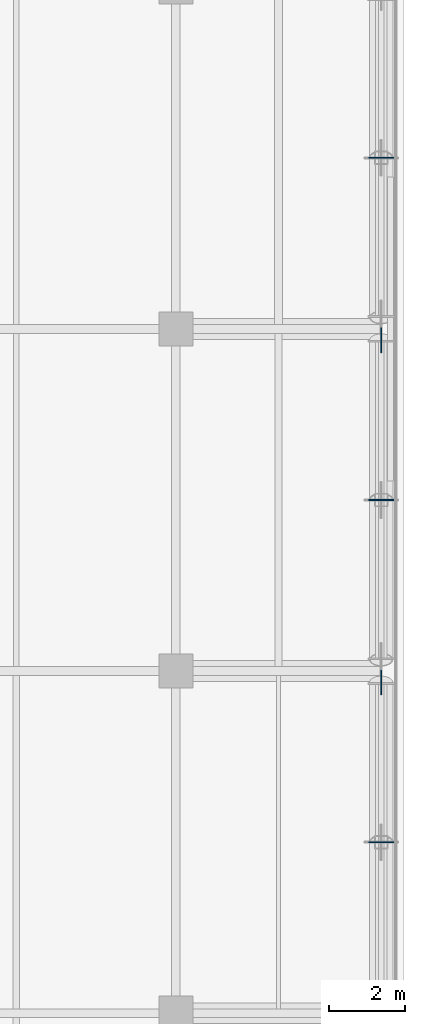
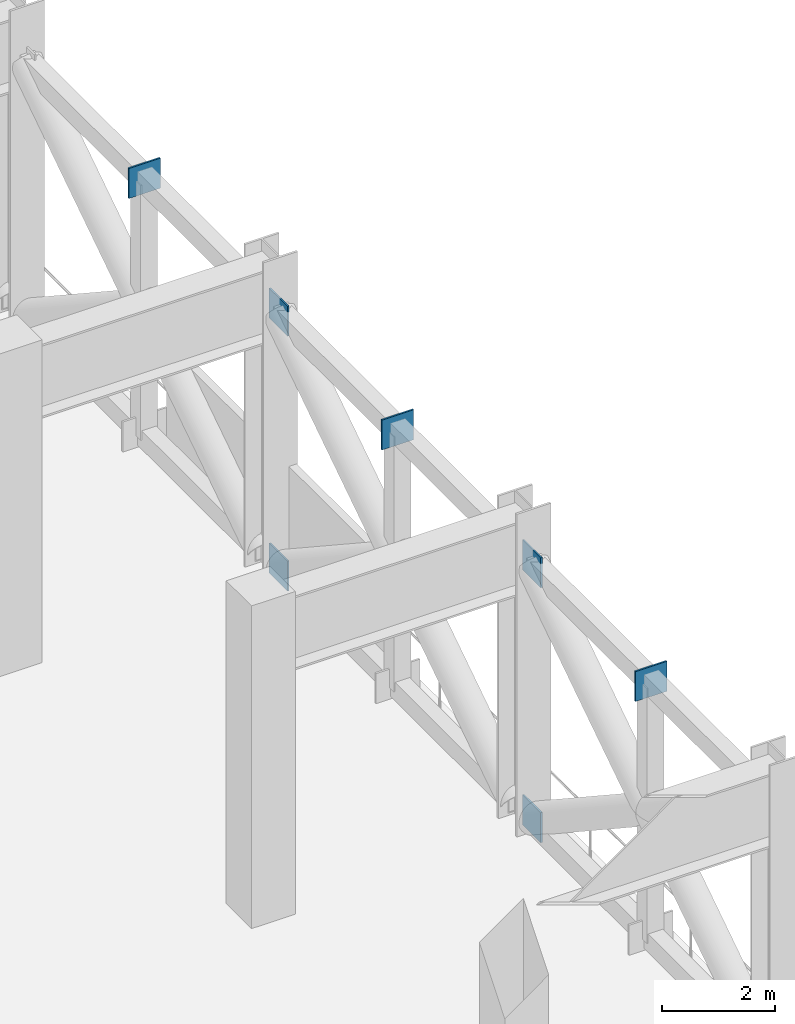
# One storey, part 9 of 16: 7 plates.
"""IFC4 building model written with IfcOpenShell, lengths in metres."""

from ifc_helpers import new_model, si_unit, direction, frame, origin, origin_2d, place, context, subcontext, project, spatial, rectangle, extrude, material, layer, layer_set, type_object, element, save


model = new_model("IFC4")

# Units and contexts
model_context = context("Model", 3, precision=1e-05, world=origin(), true_north=direction((0.0, 1.0)))
body_context = subcontext(model_context, "Body", "Model", "MODEL_VIEW")
ifc_project = project(units=[si_unit("LENGTHUNIT", "METRE"), si_unit("AREAUNIT", "SQUARE_METRE"), si_unit("VOLUMEUNIT", "CUBIC_METRE"), si_unit("PLANEANGLEUNIT", "RADIAN"), si_unit("MASSUNIT", "GRAM", prefix="KILO")], contexts=[model_context])

# Site, building, storey
site_placement = place(None, origin())
site = spatial("IfcSite", under=ifc_project, at=site_placement, CompositionType="ELEMENT")
building_placement = place(site_placement, origin())
building = spatial("IfcBuilding", under=site, at=building_placement, Name="Maruvema Waterfront Hotel and Observation Tower", CompositionType="ELEMENT")
storey_placement = place(building_placement, frame((0.0, 0.0, 115.5)))
storey = spatial("IfcBuildingStorey", under=building, at=storey_placement, Name="L28", CompositionType="ELEMENT", Elevation=115.5)

# Plates
ifc_material = material(Name="Steel ABNT NBR 7007 AR 415 (ASTM A572 Grade 50)", Category="steel")
ifc_layer = layer(ifc_material, 0.034912109375, Name="Hollow Section Sealed End Cap Plate 35 mm")
ifc_layer_set = layer_set([ifc_layer], Name="Steel ABNT NBR 7007 AR 415 (ASTM A572 Grade 50)")
plate_type = type_object("IfcPlateType", Name="Hollow Section Sealed End Cap Plate 35 mm", PredefinedType="USERDEFINED", material=ifc_layer_set)
for number, where, z_axis, x_axis, name in (
    (1, (64.199951171875, 17.699951171875, -0.074951171875), (0.0, 0.0, 1.0), (0.0, 1.0, 0.0), "L28 Perimeter Belt Truss Chord E5 Node Plate 2"),
    (2, (64.199951171875, 17.699951171875, 5.455078125), (0.0, 0.0, 1.0), (0.0, 1.0, 0.0), "L28 Perimeter Belt Truss Top Chord E5 Node Plate 2"),
    (3, (64.199951171875, 13.5, 5.455078125), (0.0, 0.0, 1.0), (1.0, 0.0, 0.0), "L28 Perimeter Belt Truss Post E5 Node Plate 2"),
    (4, (64.199951171875, 26.699951171875, -0.074951171875), (0.0, 0.0, 1.0), (0.0, 1.0, 0.0), "L28 Perimeter Belt Truss Chord E6 Node Plate 2"),
    (5, (64.199951171875, 26.699951171875, 5.455078125), (0.0, 0.0, 1.0), (0.0, 1.0, 0.0), "L28 Perimeter Belt Truss Top Chord E6 Node Plate 2"),
    (6, (64.199951171875, 22.5, 5.455078125), (0.0, 0.0, 1.0), (1.0, 0.0, 0.0), "L28 Perimeter Belt Truss Post E6 Node Plate 2"),
    (7, (64.199951171875, 31.5, 5.455078125), (0.0, 0.0, 1.0), (1.0, 0.0, 0.0), "L28 Perimeter Belt Truss Post E7 Node Plate 2"),
):
    element("IfcPlate", number, at=place(storey_placement, frame(where, z_axis=z_axis, x_axis=x_axis)), inside=storey, type_object=plate_type, Name=name, ObjectType="END_CAP_PLATE", PredefinedType="USERDEFINED", context=body_context, shape_type="SweptSolid", body=[
        extrude(rectangle(XDim=0.64990234375, YDim=0.034912109375, at=origin_2d()), origin(), (0.0, 0.0, 1.0), 0.64990234375),
    ])

save(model, "model.ifc")
